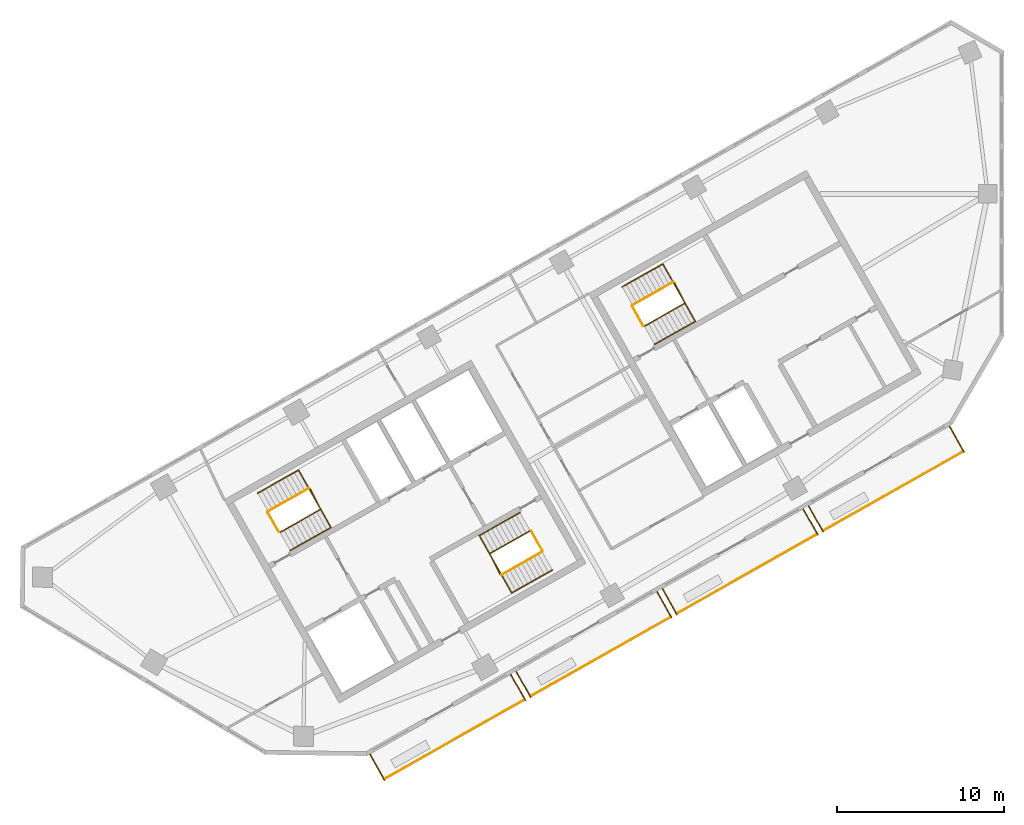
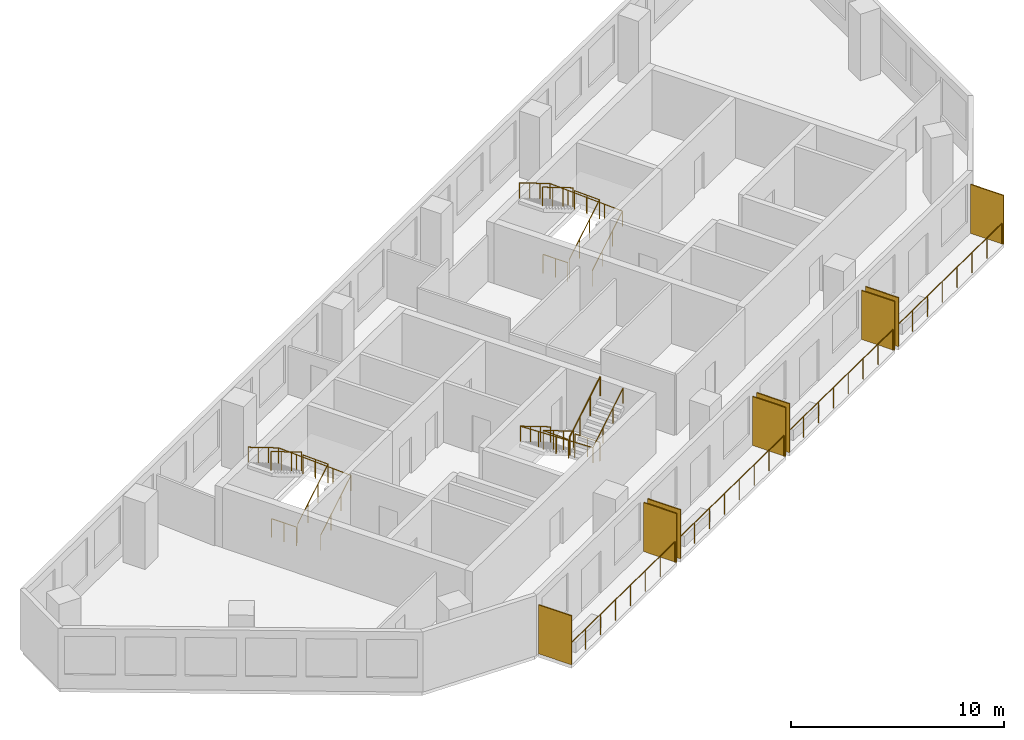
# One storey, part 6 of 7: 16 railings, 8 shading devices.
"""IFC4 building model written with IfcOpenShell, lengths in metres."""

from ifc_helpers import new_model, si_unit, direction, frame, origin, origin_2d, place, context, subcontext, project, spatial, rectangle, circle, extrude, material, layer, layer_set, type_object, element, save


model = new_model("IFC4")

# Units and contexts
model_context = context("Model", 3, precision=1e-05, world=origin(), true_north=direction((0.0, 1.0)))
body_context = subcontext(model_context, "Body", "Model", "MODEL_VIEW")
ifc_project = project(units=[si_unit("LENGTHUNIT", "METRE"), si_unit("AREAUNIT", "SQUARE_METRE"), si_unit("VOLUMEUNIT", "CUBIC_METRE"), si_unit("PLANEANGLEUNIT", "RADIAN"), si_unit("MASSUNIT", "GRAM", prefix="KILO")], contexts=[model_context])

# Site, building, storey
site_placement = place(None, origin())
site = spatial("IfcSite", under=ifc_project, at=site_placement, CompositionType="ELEMENT")
building_placement = place(site_placement, origin())
building = spatial("IfcBuilding", under=site, at=building_placement, Name="Binnacle Exchange Tower", CompositionType="ELEMENT")
storey_placement = place(building_placement, frame((0.0, 0.0, 281.699951171875)))
storey = spatial("IfcBuildingStorey", under=building, at=storey_placement, Name="L63", CompositionType="ELEMENT", Elevation=281.699951171875)

# Railings
ifc_material_1 = material(Name="Bronze anodised aluminium frame", Category="aluminium")
railing_type_1 = type_object("IfcRailingType", Name="GUARD 1200", PredefinedType="GUARDRAIL", material=ifc_material_1)
for number, where, name in (
    (1, (-37.006591796875, 24.94287109375, 0.0), "Balcony guard H07-B00 L63"),
    (2, (-28.24365234375, 29.900634765625, 0.0), "Balcony guard H07-B01 L63"),
):
    element("IfcRailing", number, at=place(storey_placement, frame(where)), inside=storey, type_object=railing_type_1, Name=name, PredefinedType="GUARDRAIL", context=body_context, shape_type="SweptSolid", body=[
        extrude(circle(Radius=0.02392578125, at=origin_2d()), frame((0.0, 0.0, 1.17578125), z_axis=(0.870359171481, 0.492417417055, 0.0), x_axis=(-0.492417417055, 0.870359171481, 0.0)), (0.0, 0.0, 1.0), 9.648193359375),
        extrude(circle(Radius=0.02099609375, at=origin_2d()), origin(), (0.0, 0.0, 1.0), 1.15185546875),
        extrude(circle(Radius=0.02099609375, at=origin_2d()), frame((1.19970703125, 0.6787109375, 0.0)), (0.0, 0.0, 1.0), 1.15185546875),
        extrude(circle(Radius=0.02099609375, at=origin_2d()), frame((2.399169921875, 1.357421875, 0.0)), (0.0, 0.0, 1.0), 1.15185546875),
        extrude(circle(Radius=0.02099609375, at=origin_2d()), frame((3.598876953125, 2.0361328125, 0.0)), (0.0, 0.0, 1.0), 1.15185546875),
        extrude(circle(Radius=0.02099609375, at=origin_2d()), frame((4.798583984375, 2.71484375, 0.0)), (0.0, 0.0, 1.0), 1.15185546875),
        extrude(circle(Radius=0.02099609375, at=origin_2d()), frame((5.998291015625, 3.3935546875, 0.0)), (0.0, 0.0, 1.0), 1.15185546875),
        extrude(circle(Radius=0.02099609375, at=origin_2d()), frame((7.19775390625, 4.072265625, 0.0)), (0.0, 0.0, 1.0), 1.15185546875),
        extrude(circle(Radius=0.02099609375, at=origin_2d()), frame((8.3974609375, 4.7509765625, 0.0)), (0.0, 0.0, 1.0), 1.15185546875),
    ])
railing_1_placement = place(storey_placement, frame((-19.480712890625, 34.8583984375, 0.0)))
element("IfcRailing", 3, at=railing_1_placement, inside=storey, type_object=railing_type_1, Name="Balcony guard H07-B02 L63", PredefinedType="GUARDRAIL", context=body_context, shape_type="SweptSolid", body=[
    extrude(circle(Radius=0.02392578125, at=origin_2d()), frame((0.0, 0.0, 1.17578125), z_axis=(0.870342190373, 0.492447430349, 0.0), x_axis=(-0.492447430349, 0.870342190373, 0.0)), (0.0, 0.0, 1.0), 9.648193359375),
    extrude(circle(Radius=0.02099609375, at=origin_2d()), origin(), (0.0, 0.0, 1.0), 1.15185546875),
    extrude(circle(Radius=0.02099609375, at=origin_2d()), frame((1.19970703125, 0.6787109375, 0.0)), (0.0, 0.0, 1.0), 1.15185546875),
    extrude(circle(Radius=0.02099609375, at=origin_2d()), frame((2.399169921875, 1.357421875, 0.0)), (0.0, 0.0, 1.0), 1.15185546875),
    extrude(circle(Radius=0.02099609375, at=origin_2d()), frame((3.598876953125, 2.0361328125, 0.0)), (0.0, 0.0, 1.0), 1.15185546875),
    extrude(circle(Radius=0.02099609375, at=origin_2d()), frame((4.79833984375, 2.715087890625, 0.0)), (0.0, 0.0, 1.0), 1.15185546875),
    extrude(circle(Radius=0.02099609375, at=origin_2d()), frame((5.998046875, 3.393798828125, 0.0)), (0.0, 0.0, 1.0), 1.15185546875),
    extrude(circle(Radius=0.02099609375, at=origin_2d()), frame((7.197509765625, 4.072509765625, 0.0)), (0.0, 0.0, 1.0), 1.15185546875),
    extrude(circle(Radius=0.02099609375, at=origin_2d()), frame((8.397216796875, 4.751220703125, 0.0)), (0.0, 0.0, 1.0), 1.15185546875),
])
railing_2_placement = place(storey_placement, frame((-10.7177734375, 39.81640625, 0.0)))
element("IfcRailing", 4, at=railing_2_placement, inside=storey, type_object=railing_type_1, Name="Balcony guard H07-B03 L63", PredefinedType="GUARDRAIL", context=body_context, shape_type="SweptSolid", body=[
    extrude(circle(Radius=0.02392578125, at=origin_2d()), frame((0.0, 0.0, 1.17578125), z_axis=(0.870353035673, 0.492428262079, 0.0), x_axis=(-0.492428262079, 0.870353035673, 0.0)), (0.0, 0.0, 1.0), 9.64794921875),
    extrude(circle(Radius=0.02099609375, at=origin_2d()), origin(), (0.0, 0.0, 1.0), 1.15185546875),
    extrude(circle(Radius=0.02099609375, at=origin_2d()), frame((1.19970703125, 0.6787109375, 0.0)), (0.0, 0.0, 1.0), 1.15185546875),
    extrude(circle(Radius=0.02099609375, at=origin_2d()), frame((2.399169921875, 1.357421875, 0.0)), (0.0, 0.0, 1.0), 1.15185546875),
    extrude(circle(Radius=0.02099609375, at=origin_2d()), frame((3.598876953125, 2.0361328125, 0.0)), (0.0, 0.0, 1.0), 1.15185546875),
    extrude(circle(Radius=0.02099609375, at=origin_2d()), frame((4.79833984375, 2.71484375, 0.0)), (0.0, 0.0, 1.0), 1.15185546875),
    extrude(circle(Radius=0.02099609375, at=origin_2d()), frame((5.998046875, 3.3935546875, 0.0)), (0.0, 0.0, 1.0), 1.15185546875),
    extrude(circle(Radius=0.02099609375, at=origin_2d()), frame((7.197509765625, 4.072265625, 0.0)), (0.0, 0.0, 1.0), 1.15185546875),
    extrude(circle(Radius=0.02099609375, at=origin_2d()), frame((8.397216796875, 4.7509765625, 0.0)), (0.0, 0.0, 1.0), 1.15185546875),
])

# Shading devices
ifc_material_2 = material(Name="Bronze aluminium louvre", Category="aluminium")
ifc_layer = layer(ifc_material_2, 0.06005859375)
ifc_layer_set = layer_set([ifc_layer], Name="PLANTED SCREEN 60x2800")
shading_device_type = type_object("IfcShadingDeviceType", Name="PLANTED SCREEN 60x2800", PredefinedType="USERDEFINED", material=ifc_layer_set)
for number, where, z_axis, x_axis, name in (
    (5, (-37.436279296875, 25.641845703125, 0.0), (0.0, 0.0, 1.0), (0.87035569594, 0.492423560103, 0.0), "Planted screen H07-B00a L63"),
    (6, (-28.98681640625, 30.42236328125, 0.0), (0.0, 0.0, 1.0), (0.87035569594, 0.492423560103, 0.0), "Planted screen H07-B00b L63"),
    (7, (-28.673583984375, 30.599609375, 0.0), (0.0, 0.0, 1.0), (0.87035569594, 0.492423560103, 0.0), "Planted screen H07-B01a L63"),
    (8, (-20.223876953125, 35.380126953125, 0.0), (0.0, 0.0, 1.0), (0.87035569594, 0.492423560103, 0.0), "Planted screen H07-B01b L63"),
    (9, (-19.91064453125, 35.5576171875, 0.0), (0.0, 0.0, 1.0), (0.87035569594, 0.492423560103, 0.0), "Planted screen H07-B02a L63"),
    (10, (-11.461181640625, 40.337890625, 0.0), (0.0, 0.0, 1.0), (0.87035569594, 0.492423560103, 0.0), "Planted screen H07-B02b L63"),
    (11, (-11.147705078125, 40.51513671875, 0.0), (0.0, 0.0, 1.0), (0.87035569594, 0.492423560103, 0.0), "Planted screen H07-B03a L63"),
    (12, (-2.697998046875, 45.2958984375, 0.0), (0.0, 0.0, 1.0), (0.87035569594, 0.492423560103, 0.0), "Planted screen H07-B03b L63"),
):
    element("IfcShadingDevice", number, at=place(storey_placement, frame(where, z_axis=z_axis, x_axis=x_axis)), inside=storey, type_object=shading_device_type, Name=name, ObjectType="SCREEN", PredefinedType="USERDEFINED", context=body_context, shape_type="SweptSolid", body=[
        extrude(rectangle(XDim=0.06005859375, YDim=1.800048828125, at=origin_2d()), origin(), (0.0, 0.0, 1.0), 2.800048828125),
    ])

# Railings
ifc_material_3 = material(Name="Steel guard rail", Category="steel")
railing_type_2 = type_object("IfcRailingType", Name="STAIR GUARD 1100", PredefinedType="GUARDRAIL", material=ifc_material_3)
railing_3_placement = place(storey_placement, frame((-43.26171875, 39.71728515625, 0.1728515625)))
element("IfcRailing", 13, at=railing_3_placement, inside=storey, type_object=railing_type_2, Name="L63 STA1 stair guard 1", PredefinedType="GUARDRAIL", context=body_context, shape_type="SweptSolid", body=[
    extrude(circle(Radius=0.02392578125, at=origin_2d()), frame((0.0, 0.0, 1.076171875), z_axis=(0.740737961854, 0.419123222656, 0.525017138862), x_axis=(-0.492453686477, 0.870338650569, 0.0)), (0.0, 0.0, 1.0), 3.2900390625),
    extrude(circle(Radius=0.02392578125, at=origin_2d()), frame((2.43701171875, 1.37890625, 2.80322265625), z_axis=(-0.461100321709, 0.887348011391, 0.0), x_axis=(-0.887348011391, -0.461100321709, 0.0)), (0.0, 0.0, 1.0), 1.40087890625),
    extrude(circle(Radius=0.02099609375, at=origin_2d()), origin(), (0.0, 0.0, 1.0), 1.052001953125),
    extrude(circle(Radius=0.02099609375, at=origin_2d()), frame((0.812255859375, 0.459716796875, 0.57568359375)), (0.0, 0.0, 1.0), 1.052001953125),
    extrude(circle(Radius=0.02099609375, at=origin_2d()), frame((1.624755859375, 0.919189453125, 1.151611328125)), (0.0, 0.0, 1.0), 1.052001953125),
    extrude(circle(Radius=0.02099609375, at=origin_2d()), frame((2.43701171875, 1.37890625, 1.727294921875)), (0.0, 0.0, 1.0), 1.052001953125),
    extrude(circle(Radius=0.02099609375, at=origin_2d()), frame((2.114013671875, 2.00048828125, 1.727294921875)), (0.0, 0.0, 1.0), 1.052001953125),
    extrude(circle(Radius=0.02099609375, at=origin_2d()), frame((1.791015625, 2.6220703125, 1.727294921875)), (0.0, 0.0, 1.0), 1.052001953125),
])
railing_4_placement = place(storey_placement, frame((-41.538818359375, 42.358154296875, 2.07275390625)))
element("IfcRailing", 14, at=railing_4_placement, inside=storey, type_object=railing_type_2, Name="L63 STA1 stair guard 2", PredefinedType="GUARDRAIL", context=body_context, shape_type="SweptSolid", body=[
    extrude(circle(Radius=0.02392578125, at=origin_2d()), frame((0.0, 0.0, 1.076171875), z_axis=(-0.740737961854, -0.419123222656, 0.525017138862), x_axis=(0.492453686477, -0.870338650569, 0.0)), (0.0, 0.0, 1.0), 3.2900390625),
    extrude(circle(Radius=0.02099609375, at=origin_2d()), origin(), (0.0, 0.0, 1.0), 1.052001953125),
    extrude(circle(Radius=0.02099609375, at=origin_2d()), frame((-0.812255859375, -0.459716796875, 0.57568359375)), (0.0, 0.0, 1.0), 1.052001953125),
    extrude(circle(Radius=0.02099609375, at=origin_2d()), frame((-1.624755859375, -0.919189453125, 1.151611328125)), (0.0, 0.0, 1.0), 1.052001953125),
    extrude(circle(Radius=0.02099609375, at=origin_2d()), frame((-2.43701171875, -1.37890625, 1.727294921875)), (0.0, 0.0, 1.0), 1.052001953125),
])
railing_5_placement = place(storey_placement, frame((-43.329833984375, 39.736328125, 0.0)))
element("IfcRailing", 15, at=railing_5_placement, inside=storey, type_object=railing_type_2, Name="L63 STA1 stair guard 3", PredefinedType="GUARDRAIL", context=body_context, shape_type="SweptSolid", body=[
    extrude(circle(Radius=0.02392578125, at=origin_2d()), frame((0.0, 0.0, 1.076171875), z_axis=(-0.4924922531, 0.870316827734, 0.0), x_axis=(-0.870316827734, -0.4924922531, 0.0)), (0.0, 0.0, 1.0), 1.349853515625),
    extrude(circle(Radius=0.02099609375, at=origin_2d()), origin(), (0.0, 0.0, 1.0), 1.052001953125),
    extrude(circle(Radius=0.02099609375, at=origin_2d()), frame((-0.33251953125, 0.58740234375, 0.0)), (0.0, 0.0, 1.0), 1.052001953125),
    extrude(circle(Radius=0.02099609375, at=origin_2d()), frame((-0.664794921875, 1.1748046875, 0.0)), (0.0, 0.0, 1.0), 1.052001953125),
])
railing_6_placement = place(storey_placement, frame((-28.265380859375, 39.814453125, 0.1728515625)))
element("IfcRailing", 16, at=railing_6_placement, inside=storey, type_object=railing_type_2, Name="L63 STA2 stair guard 1", PredefinedType="GUARDRAIL", context=body_context, shape_type="SweptSolid", body=[
    extrude(circle(Radius=0.02392578125, at=origin_2d()), frame((0.0, 0.0, 1.076171875), z_axis=(-0.740760999345, -0.419062048017, 0.525033467278), x_axis=(0.492387636113, -0.870376019777, 0.0)), (0.0, 0.0, 1.0), 3.289794921875),
    extrude(circle(Radius=0.02392578125, at=origin_2d()), frame((-2.43701171875, -1.378662109375, 2.80322265625), z_axis=(0.460963092712, -0.887419307406, 0.0), x_axis=(0.887419307406, 0.460963092712, 0.0)), (0.0, 0.0, 1.0), 1.40087890625),
    extrude(circle(Radius=0.02099609375, at=origin_2d()), origin(), (0.0, 0.0, 1.0), 1.052001953125),
    extrude(circle(Radius=0.02099609375, at=origin_2d()), frame((-0.812255859375, -0.45947265625, 0.57568359375)), (0.0, 0.0, 1.0), 1.052001953125),
    extrude(circle(Radius=0.02099609375, at=origin_2d()), frame((-1.624755859375, -0.919189453125, 1.151611328125)), (0.0, 0.0, 1.0), 1.052001953125),
    extrude(circle(Radius=0.02099609375, at=origin_2d()), frame((-2.43701171875, -1.378662109375, 1.727294921875)), (0.0, 0.0, 1.0), 1.052001953125),
    extrude(circle(Radius=0.02099609375, at=origin_2d()), frame((-2.1142578125, -2.000244140625, 1.727294921875)), (0.0, 0.0, 1.0), 1.052001953125),
    extrude(circle(Radius=0.02099609375, at=origin_2d()), frame((-1.791259765625, -2.621826171875, 1.727294921875)), (0.0, 0.0, 1.0), 1.052001953125),
])
railing_7_placement = place(storey_placement, frame((-29.988525390625, 37.173583984375, 2.07275390625)))
element("IfcRailing", 17, at=railing_7_placement, inside=storey, type_object=railing_type_2, Name="L63 STA2 stair guard 2", PredefinedType="GUARDRAIL", context=body_context, shape_type="SweptSolid", body=[
    extrude(circle(Radius=0.02392578125, at=origin_2d()), frame((0.0, 0.0, 1.076171875), z_axis=(0.740737961854, 0.419123222656, 0.525017138862), x_axis=(-0.492453686477, 0.870338650569, 0.0)), (0.0, 0.0, 1.0), 3.2900390625),
    extrude(circle(Radius=0.02099609375, at=origin_2d()), origin(), (0.0, 0.0, 1.0), 1.052001953125),
    extrude(circle(Radius=0.02099609375, at=origin_2d()), frame((0.812255859375, 0.459716796875, 0.57568359375)), (0.0, 0.0, 1.0), 1.052001953125),
    extrude(circle(Radius=0.02099609375, at=origin_2d()), frame((1.624755859375, 0.919189453125, 1.151611328125)), (0.0, 0.0, 1.0), 1.052001953125),
    extrude(circle(Radius=0.02099609375, at=origin_2d()), frame((2.43701171875, 1.37890625, 1.727294921875)), (0.0, 0.0, 1.0), 1.052001953125),
])
railing_8_placement = place(storey_placement, frame((-28.197265625, 39.795654296875, 0.0)))
element("IfcRailing", 18, at=railing_8_placement, inside=storey, type_object=railing_type_2, Name="L63 STA2 stair guard 3", PredefinedType="GUARDRAIL", context=body_context, shape_type="SweptSolid", body=[
    extrude(circle(Radius=0.02392578125, at=origin_2d()), frame((0.0, 0.0, 1.076171875), z_axis=(0.49241474071, -0.870360685654, 0.0), x_axis=(0.870360685654, 0.49241474071, 0.0)), (0.0, 0.0, 1.0), 1.35009765625),
    extrude(circle(Radius=0.02099609375, at=origin_2d()), origin(), (0.0, 0.0, 1.0), 1.052001953125),
    extrude(circle(Radius=0.02099609375, at=origin_2d()), frame((0.33251953125, -0.58740234375, 0.0)), (0.0, 0.0, 1.0), 1.052001953125),
    extrude(circle(Radius=0.02099609375, at=origin_2d()), frame((0.664794921875, -1.175048828125, 0.0)), (0.0, 0.0, 1.0), 1.052001953125),
])
railing_9_placement = place(storey_placement, frame((-21.423828125, 52.07275390625, 0.1728515625)))
element("IfcRailing", 19, at=railing_9_placement, inside=storey, type_object=railing_type_2, Name="L63 STC1 stair guard 1", PredefinedType="GUARDRAIL", context=body_context, shape_type="SweptSolid", body=[
    extrude(circle(Radius=0.02392578125, at=origin_2d()), frame((0.0, 0.0, 1.076171875), z_axis=(0.740760999345, 0.419062048017, 0.525033467278), x_axis=(-0.492387636113, 0.870376019777, 0.0)), (0.0, 0.0, 1.0), 3.289794921875),
    extrude(circle(Radius=0.02392578125, at=origin_2d()), frame((2.43701171875, 1.378662109375, 2.80322265625), z_axis=(-0.460963092712, 0.887419307406, 0.0), x_axis=(-0.887419307406, -0.460963092712, 0.0)), (0.0, 0.0, 1.0), 1.40087890625),
    extrude(circle(Radius=0.02099609375, at=origin_2d()), origin(), (0.0, 0.0, 1.0), 1.052001953125),
    extrude(circle(Radius=0.02099609375, at=origin_2d()), frame((0.812255859375, 0.45947265625, 0.57568359375)), (0.0, 0.0, 1.0), 1.052001953125),
    extrude(circle(Radius=0.02099609375, at=origin_2d()), frame((1.624755859375, 0.919189453125, 1.151611328125)), (0.0, 0.0, 1.0), 1.052001953125),
    extrude(circle(Radius=0.02099609375, at=origin_2d()), frame((2.43701171875, 1.378662109375, 1.727294921875)), (0.0, 0.0, 1.0), 1.052001953125),
    extrude(circle(Radius=0.02099609375, at=origin_2d()), frame((2.1142578125, 2.000244140625, 1.727294921875)), (0.0, 0.0, 1.0), 1.052001953125),
    extrude(circle(Radius=0.02099609375, at=origin_2d()), frame((1.791259765625, 2.621826171875, 1.727294921875)), (0.0, 0.0, 1.0), 1.052001953125),
])
railing_10_placement = place(storey_placement, frame((-19.70068359375, 54.71337890625, 2.07275390625)))
element("IfcRailing", 20, at=railing_10_placement, inside=storey, type_object=railing_type_2, Name="L63 STC1 stair guard 2", PredefinedType="GUARDRAIL", context=body_context, shape_type="SweptSolid", body=[
    extrude(circle(Radius=0.02392578125, at=origin_2d()), frame((0.0, 0.0, 1.076171875), z_axis=(-0.740760999345, -0.419062048017, 0.525033467278), x_axis=(0.492387636113, -0.870376019777, 0.0)), (0.0, 0.0, 1.0), 3.289794921875),
    extrude(circle(Radius=0.02099609375, at=origin_2d()), origin(), (0.0, 0.0, 1.0), 1.052001953125),
    extrude(circle(Radius=0.02099609375, at=origin_2d()), frame((-0.812255859375, -0.45947265625, 0.57568359375)), (0.0, 0.0, 1.0), 1.052001953125),
    extrude(circle(Radius=0.02099609375, at=origin_2d()), frame((-1.624755859375, -0.919189453125, 1.151611328125)), (0.0, 0.0, 1.0), 1.052001953125),
    extrude(circle(Radius=0.02099609375, at=origin_2d()), frame((-2.43701171875, -1.378662109375, 1.727294921875)), (0.0, 0.0, 1.0), 1.052001953125),
])
railing_11_placement = place(storey_placement, frame((-21.491943359375, 52.091552734375, 0.0)))
element("IfcRailing", 21, at=railing_11_placement, inside=storey, type_object=railing_type_2, Name="L63 STC1 stair guard 3", PredefinedType="GUARDRAIL", context=body_context, shape_type="SweptSolid", body=[
    extrude(circle(Radius=0.02392578125, at=origin_2d()), frame((0.0, 0.0, 1.076171875), z_axis=(-0.49241474071, 0.870360685654, 0.0), x_axis=(-0.870360685654, -0.49241474071, 0.0)), (0.0, 0.0, 1.0), 1.35009765625),
    extrude(circle(Radius=0.02099609375, at=origin_2d()), origin(), (0.0, 0.0, 1.0), 1.052001953125),
    extrude(circle(Radius=0.02099609375, at=origin_2d()), frame((-0.33251953125, 0.58740234375, 0.0)), (0.0, 0.0, 1.0), 1.052001953125),
    extrude(circle(Radius=0.02099609375, at=origin_2d()), frame((-0.664794921875, 1.175048828125, 0.0)), (0.0, 0.0, 1.0), 1.052001953125),
])
ifc_material_4 = material(Name="Steel handrail", Category="steel")
railing_type_3 = type_object("IfcRailingType", Name="STAIR HANDRAIL 900", PredefinedType="HANDRAIL", material=ifc_material_4)
railing_12_placement = place(storey_placement, frame((-42.646240234375, 38.62939453125, 0.1728515625)))
element("IfcRailing", 22, at=railing_12_placement, inside=storey, type_object=railing_type_3, Name="L63 STA1 stair handrail 1", PredefinedType="HANDRAIL", context=body_context, shape_type="SweptSolid", body=[
    extrude(circle(Radius=0.02392578125, at=origin_2d()), frame((0.0, 0.0, 0.8759765625), z_axis=(0.740760999345, 0.419062048017, 0.525033467278), x_axis=(-0.492387636113, 0.870376019777, 0.0)), (0.0, 0.0, 1.0), 3.289794921875),
    extrude(circle(Radius=0.02392578125, at=origin_2d()), frame((2.43701171875, 1.378662109375, 2.60302734375), z_axis=(-0.491944173491, 0.869531549026, 0.043655645871), x_axis=(-0.870361318571, -0.492413622004, 0.0)), (0.0, 0.0, 1.0), 3.953857421875),
    extrude(circle(Radius=0.02392578125, at=origin_2d()), frame((0.491943359375, 4.816650390625, 2.77587890625), z_axis=(-0.740760999345, -0.419062048017, 0.525033467278), x_axis=(0.492387636113, -0.870376019777, 0.0)), (0.0, 0.0, 1.0), 3.289794921875),
    extrude(circle(Radius=0.02099609375, at=origin_2d()), origin(), (0.0, 0.0, 1.0), 0.851806640625),
    extrude(circle(Radius=0.02099609375, at=origin_2d()), frame((0.812255859375, 0.45947265625, 0.57568359375)), (0.0, 0.0, 1.0), 0.851806640625),
    extrude(circle(Radius=0.02099609375, at=origin_2d()), frame((1.624755859375, 0.919189453125, 1.151611328125)), (0.0, 0.0, 1.0), 0.851806640625),
    extrude(circle(Radius=0.02099609375, at=origin_2d()), frame((2.43701171875, 1.378662109375, 1.727294921875)), (0.0, 0.0, 1.0), 0.851806640625),
    extrude(circle(Radius=0.02099609375, at=origin_2d()), frame((1.95068359375, 2.23828125, 1.7705078125)), (0.0, 0.0, 1.0), 0.851806640625),
    extrude(circle(Radius=0.02099609375, at=origin_2d()), frame((1.46435546875, 3.09765625, 1.8134765625)), (0.0, 0.0, 1.0), 0.851806640625),
    extrude(circle(Radius=0.02099609375, at=origin_2d()), frame((0.978271484375, 3.95703125, 1.856689453125)), (0.0, 0.0, 1.0), 0.851806640625),
    extrude(circle(Radius=0.02099609375, at=origin_2d()), frame((0.491943359375, 4.816650390625, 1.89990234375)), (0.0, 0.0, 1.0), 0.851806640625),
    extrude(circle(Radius=0.02099609375, at=origin_2d()), frame((-0.3203125, 4.357177734375, 2.4755859375)), (0.0, 0.0, 1.0), 0.851806640625),
    extrude(circle(Radius=0.02099609375, at=origin_2d()), frame((-1.1328125, 3.8974609375, 3.051513671875)), (0.0, 0.0, 1.0), 0.851806640625),
    extrude(circle(Radius=0.02099609375, at=origin_2d()), frame((-1.945068359375, 3.43798828125, 3.627197265625)), (0.0, 0.0, 1.0), 0.851806640625),
])
railing_13_placement = place(storey_placement, frame((-28.880859375, 40.90234375, 0.1728515625)))
element("IfcRailing", 23, at=railing_13_placement, inside=storey, type_object=railing_type_3, Name="L63 STA2 stair handrail 1", PredefinedType="HANDRAIL", context=body_context, shape_type="SweptSolid", body=[
    extrude(circle(Radius=0.02392578125, at=origin_2d()), frame((0.0, 0.0, 0.8759765625), z_axis=(-0.740760999345, -0.419062048017, 0.525033467278), x_axis=(0.492387636113, -0.870376019777, 0.0)), (0.0, 0.0, 1.0), 3.289794921875),
    extrude(circle(Radius=0.02392578125, at=origin_2d()), frame((-2.43701171875, -1.378662109375, 2.60302734375), z_axis=(0.491944173491, -0.869531549026, 0.043655645871), x_axis=(0.870361318571, 0.492413622004, 0.0)), (0.0, 0.0, 1.0), 3.953857421875),
    extrude(circle(Radius=0.02392578125, at=origin_2d()), frame((-0.491943359375, -4.816650390625, 2.77587890625), z_axis=(0.740737961854, 0.419123222656, 0.525017138862), x_axis=(-0.492453686477, 0.870338650569, 0.0)), (0.0, 0.0, 1.0), 3.2900390625),
    extrude(circle(Radius=0.02099609375, at=origin_2d()), origin(), (0.0, 0.0, 1.0), 0.851806640625),
    extrude(circle(Radius=0.02099609375, at=origin_2d()), frame((-0.812255859375, -0.45947265625, 0.57568359375)), (0.0, 0.0, 1.0), 0.851806640625),
    extrude(circle(Radius=0.02099609375, at=origin_2d()), frame((-1.624755859375, -0.919189453125, 1.151611328125)), (0.0, 0.0, 1.0), 0.851806640625),
    extrude(circle(Radius=0.02099609375, at=origin_2d()), frame((-2.43701171875, -1.378662109375, 1.727294921875)), (0.0, 0.0, 1.0), 0.851806640625),
    extrude(circle(Radius=0.02099609375, at=origin_2d()), frame((-1.95068359375, -2.23828125, 1.7705078125)), (0.0, 0.0, 1.0), 0.851806640625),
    extrude(circle(Radius=0.02099609375, at=origin_2d()), frame((-1.46435546875, -3.09765625, 1.8134765625)), (0.0, 0.0, 1.0), 0.851806640625),
    extrude(circle(Radius=0.02099609375, at=origin_2d()), frame((-0.978271484375, -3.95703125, 1.856689453125)), (0.0, 0.0, 1.0), 0.851806640625),
    extrude(circle(Radius=0.02099609375, at=origin_2d()), frame((-0.491943359375, -4.816650390625, 1.89990234375)), (0.0, 0.0, 1.0), 0.851806640625),
    extrude(circle(Radius=0.02099609375, at=origin_2d()), frame((0.3203125, -4.35693359375, 2.4755859375)), (0.0, 0.0, 1.0), 0.851806640625),
    extrude(circle(Radius=0.02099609375, at=origin_2d()), frame((1.1328125, -3.8974609375, 3.051513671875)), (0.0, 0.0, 1.0), 0.851806640625),
    extrude(circle(Radius=0.02099609375, at=origin_2d()), frame((1.945068359375, -3.437744140625, 3.627197265625)), (0.0, 0.0, 1.0), 0.851806640625),
])
railing_14_placement = place(storey_placement, frame((-20.808349609375, 50.984619140625, 0.1728515625)))
element("IfcRailing", 24, at=railing_14_placement, inside=storey, type_object=railing_type_3, Name="L63 STC1 stair handrail 1", PredefinedType="HANDRAIL", context=body_context, shape_type="SweptSolid", body=[
    extrude(circle(Radius=0.02392578125, at=origin_2d()), frame((0.0, 0.0, 0.8759765625), z_axis=(0.740737961854, 0.419123222656, 0.525017138862), x_axis=(-0.492453686477, 0.870338650569, 0.0)), (0.0, 0.0, 1.0), 3.2900390625),
    extrude(circle(Radius=0.02392578125, at=origin_2d()), frame((2.43701171875, 1.37890625, 2.60302734375), z_axis=(-0.49197058795, 0.869516486623, 0.043657989918), x_axis=(-0.87034633103, -0.492440112159, 0.0)), (0.0, 0.0, 1.0), 3.95361328125),
    extrude(circle(Radius=0.02392578125, at=origin_2d()), frame((0.491943359375, 4.816650390625, 2.77587890625), z_axis=(-0.740760999345, -0.419062048017, 0.525033467278), x_axis=(0.492387636113, -0.870376019777, 0.0)), (0.0, 0.0, 1.0), 3.289794921875),
    extrude(circle(Radius=0.02099609375, at=origin_2d()), origin(), (0.0, 0.0, 1.0), 0.851806640625),
    extrude(circle(Radius=0.02099609375, at=origin_2d()), frame((0.812255859375, 0.459716796875, 0.57568359375)), (0.0, 0.0, 1.0), 0.851806640625),
    extrude(circle(Radius=0.02099609375, at=origin_2d()), frame((1.624755859375, 0.919189453125, 1.151611328125)), (0.0, 0.0, 1.0), 0.851806640625),
    extrude(circle(Radius=0.02099609375, at=origin_2d()), frame((2.43701171875, 1.37890625, 1.727294921875)), (0.0, 0.0, 1.0), 0.851806640625),
    extrude(circle(Radius=0.02099609375, at=origin_2d()), frame((1.95068359375, 2.23828125, 1.7705078125)), (0.0, 0.0, 1.0), 0.851806640625),
    extrude(circle(Radius=0.02099609375, at=origin_2d()), frame((1.46435546875, 3.09765625, 1.8134765625)), (0.0, 0.0, 1.0), 0.851806640625),
    extrude(circle(Radius=0.02099609375, at=origin_2d()), frame((0.978271484375, 3.957275390625, 1.856689453125)), (0.0, 0.0, 1.0), 0.851806640625),
    extrude(circle(Radius=0.02099609375, at=origin_2d()), frame((0.491943359375, 4.816650390625, 1.89990234375)), (0.0, 0.0, 1.0), 0.851806640625),
    extrude(circle(Radius=0.02099609375, at=origin_2d()), frame((-0.3203125, 4.357177734375, 2.4755859375)), (0.0, 0.0, 1.0), 0.851806640625),
    extrude(circle(Radius=0.02099609375, at=origin_2d()), frame((-1.1328125, 3.8974609375, 3.051513671875)), (0.0, 0.0, 1.0), 0.851806640625),
    extrude(circle(Radius=0.02099609375, at=origin_2d()), frame((-1.945068359375, 3.43798828125, 3.627197265625)), (0.0, 0.0, 1.0), 0.851806640625),
])

save(model, "model.ifc")
